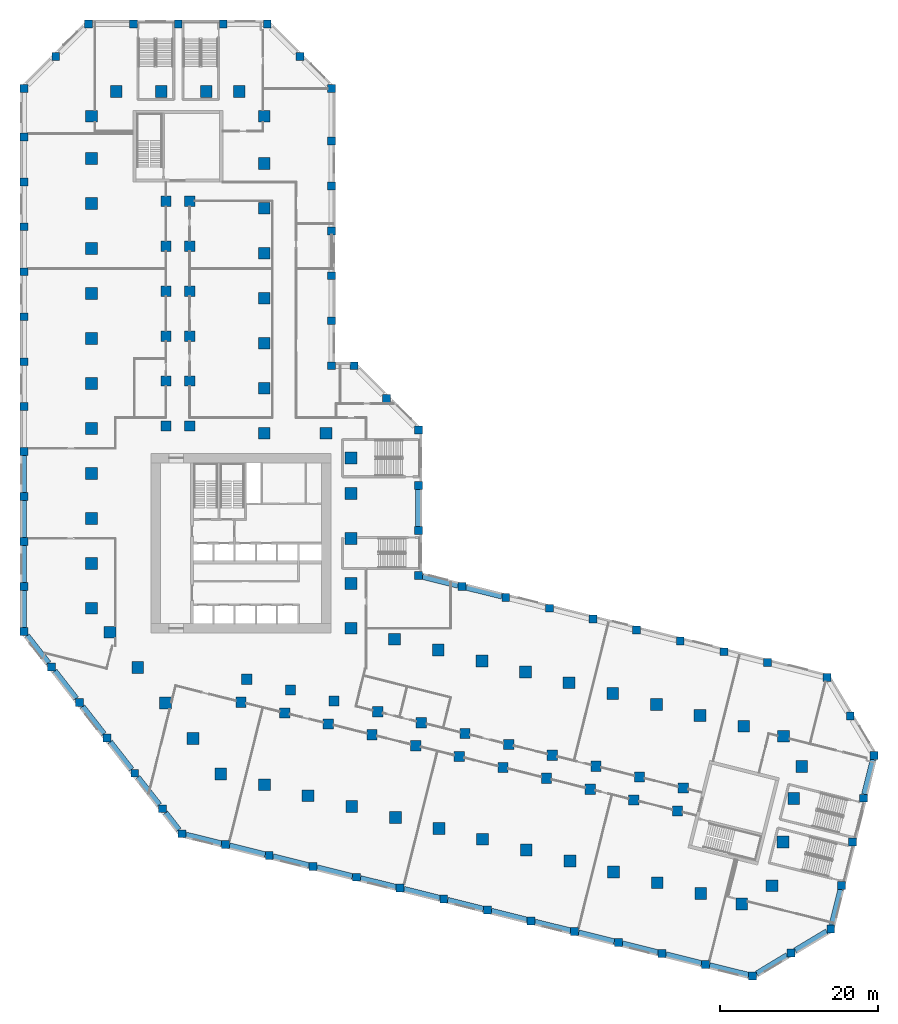
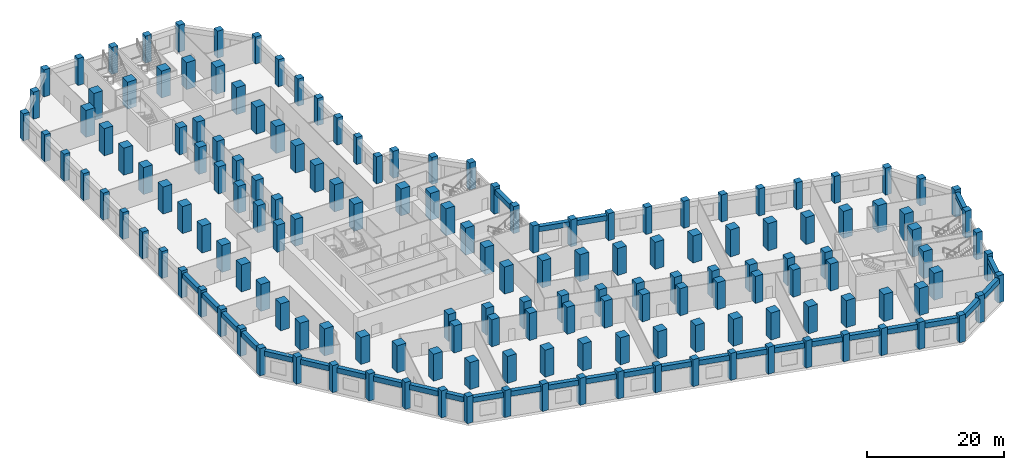
# One storey, part 1 of 15: 163 columns, 30 beams.
"""IFC4 building model written with IfcOpenShell, lengths in metres."""

from ifc_helpers import new_model, si_unit, direction, frame, origin, origin_2d, place, context, subcontext, project, spatial, rectangle, extrude, material, material_profile, profile_set, type_object, element, save


model = new_model("IFC4")

# Units and contexts
model_context = context("Model", 3, precision=1e-05, world=origin(), true_north=direction((0.0, 1.0)))
body_context = subcontext(model_context, "Body", "Model", "MODEL_VIEW")
ifc_project = project(units=[si_unit("LENGTHUNIT", "METRE"), si_unit("AREAUNIT", "SQUARE_METRE"), si_unit("VOLUMEUNIT", "CUBIC_METRE"), si_unit("PLANEANGLEUNIT", "RADIAN"), si_unit("MASSUNIT", "GRAM", prefix="KILO")], contexts=[model_context])

# Site, building, storey
site_placement = place(None, origin())
site = spatial("IfcSite", under=ifc_project, at=site_placement, CompositionType="ELEMENT")
building_placement = place(site_placement, origin())
building = spatial("IfcBuilding", under=site, at=building_placement, Name="Meshkara Civic Tower", CompositionType="ELEMENT")
storey_placement = place(building_placement, frame((0.0, 0.0, 23.39990234375)))
storey = spatial("IfcBuildingStorey", under=building, at=storey_placement, Name="L04", CompositionType="ELEMENT", Elevation=23.39990234375)

# Columns
ifc_material_1 = material(Name="Concrete C80", Category="concrete")
ifc_material_profile_1 = material_profile(ifc_material_1, rectangle(XDim=1.300048828125, YDim=1.300048828125, at=origin_2d()))
ifc_profile_set_1 = profile_set([ifc_material_profile_1], Name="Concrete C80")
column_type_1 = type_object("IfcColumnType", Name="Interior column RC 1300x1300 C80", PredefinedType="COLUMN", material=ifc_profile_set_1)
for number, where, z_axis, x_axis, name in (
    (1, (9.89990234375, 40.35009765625, 0.0), (0.0, 0.0, 1.0), (1.0, 0.0, 0.0), "Column SA1-04 L04"),
    (2, (9.89990234375, 46.050048828125, 0.0), (0.0, 0.0, 1.0), (1.0, 0.0, 0.0), "Column SA1-05 L04"),
    (3, (9.89990234375, 51.75, 0.0), (0.0, 0.0, 1.0), (1.0, 0.0, 0.0), "Column SA1-06 L04"),
    (4, (9.89990234375, 57.449951171875, 0.0), (0.0, 0.0, 1.0), (1.0, 0.0, 0.0), "Column SA1-07 L04"),
    (5, (9.89990234375, 63.14990234375, 0.0), (0.0, 0.0, 1.0), (1.0, 0.0, 0.0), "Column SA1-08 L04"),
    (6, (9.89990234375, 68.85009765625, 0.0), (0.0, 0.0, 1.0), (1.0, 0.0, 0.0), "Column SA1-09 L04"),
    (7, (12.89990234375, 40.35009765625, 0.0), (0.0, 0.0, 1.0), (1.0, 0.0, 0.0), "Column SA2-04 L04"),
    (8, (12.89990234375, 46.050048828125, 0.0), (0.0, 0.0, 1.0), (1.0, 0.0, 0.0), "Column SA2-05 L04"),
    (9, (12.89990234375, 51.75, 0.0), (0.0, 0.0, 1.0), (1.0, 0.0, 0.0), "Column SA2-06 L04"),
    (10, (12.89990234375, 57.449951171875, 0.0), (0.0, 0.0, 1.0), (1.0, 0.0, 0.0), "Column SA2-07 L04"),
    (11, (12.89990234375, 63.14990234375, 0.0), (0.0, 0.0, 1.0), (1.0, 0.0, 0.0), "Column SA2-08 L04"),
    (12, (12.89990234375, 68.85009765625, 0.0), (0.0, 0.0, 1.0), (1.0, 0.0, 0.0), "Column SA2-09 L04"),
    (13, (19.424072265625, 5.360107421875, 0.0), (0.0, 0.0, 1.0), (1.0, 0.0, 0.0), "Column SB1-00 L04"),
    (14, (24.9541015625, 3.98095703125, 0.0), (0.0, 0.0, 1.0), (1.0, 0.0, 0.0), "Column SB1-01 L04"),
    (15, (30.485107421875, 2.60205078125, 0.0), (0.0, 0.0, 1.0), (1.0, 0.0, 0.0), "Column SB1-02 L04"),
    (16, (36.01611328125, 1.222900390625, 0.0), (0.0, 0.0, 1.0), (1.0, 0.0, 0.0), "Column SB1-03 L04"),
    (17, (41.5458984375, -0.156005859375, 0.0), (0.0, 0.0, 1.0), (1.0, 0.0, 0.0), "Column SB1-04 L04"),
    (18, (47.076904296875, -1.534912109375, 0.0), (0.0, 0.0, 1.0), (1.0, 0.0, 0.0), "Column SB1-05 L04"),
    (19, (52.60791015625, -2.9140625, 0.0), (0.0, 0.0, 1.0), (1.0, 0.0, 0.0), "Column SB1-06 L04"),
    (20, (58.138916015625, -4.2919921875, 0.0), (0.0, 0.0, 1.0), (1.0, 0.0, 0.0), "Column SB1-07 L04"),
    (21, (63.6689453125, -5.6708984375, 0.0), (0.0, 0.0, 1.0), (1.0, 0.0, 0.0), "Column SB1-08 L04"),
    (22, (69.199951171875, -7.050048828125, 0.0), (0.0, 0.0, 1.0), (1.0, 0.0, 0.0), "Column SB1-09 L04"),
    (23, (74.73095703125, -8.428955078125, 0.0), (0.0, 0.0, 1.0), (1.0, 0.0, 0.0), "Column SB1-10 L04"),
    (24, (20.14892578125, 8.27099609375, 0.0), (0.0, 0.0, 1.0), (1.0, 0.0, 0.0), "Column SB2-00 L04"),
    (25, (25.679931640625, 6.89208984375, 0.0), (0.0, 0.0, 1.0), (1.0, 0.0, 0.0), "Column SB2-01 L04"),
    (26, (31.2109375, 5.512939453125, 0.0), (0.0, 0.0, 1.0), (1.0, 0.0, 0.0), "Column SB2-02 L04"),
    (27, (36.741943359375, 4.134033203125, 0.0), (0.0, 0.0, 1.0), (1.0, 0.0, 0.0), "Column SB2-03 L04"),
    (28, (42.27197265625, 2.7548828125, 0.0), (0.0, 0.0, 1.0), (1.0, 0.0, 0.0), "Column SB2-04 L04"),
    (29, (47.802978515625, 1.3759765625, 0.0), (0.0, 0.0, 1.0), (1.0, 0.0, 0.0), "Column SB2-05 L04"),
    (30, (53.333984375, -0.0029296875, 0.0), (0.0, 0.0, 1.0), (1.0, 0.0, 0.0), "Column SB2-06 L04"),
    (31, (58.864013671875, -1.382080078125, 0.0), (0.0, 0.0, 1.0), (1.0, 0.0, 0.0), "Column SB2-07 L04"),
    (32, (64.39501953125, -2.760986328125, 0.0), (0.0, 0.0, 1.0), (1.0, 0.0, 0.0), "Column SB2-08 L04"),
    (33, (69.926025390625, -4.139892578125, 0.0), (0.0, 0.0, 1.0), (1.0, 0.0, 0.0), "Column SB2-09 L04"),
    (34, (75.4560546875, -5.51806640625, 0.0), (0.0, 0.0, 1.0), (1.0, 0.0, 0.0), "Column SB2-10 L04"),
):
    element("IfcColumn", number, at=place(storey_placement, frame(where, z_axis=z_axis, x_axis=x_axis)), inside=storey, type_object=column_type_1, Name=name, PredefinedType="COLUMN", context=body_context, shape_type="SweptSolid", body=[
        extrude(rectangle(XDim=1.300048828125, YDim=1.300048828125, at=origin_2d()), origin(), (0.0, 0.0, 1.0), 4.800048828125),
    ])
ifc_material_2 = material(Name="Concrete C80", Category="concrete")
ifc_material_profile_2 = material_profile(ifc_material_2, rectangle(XDim=1.5, YDim=1.5, at=origin_2d()))
ifc_profile_set_2 = profile_set([ifc_material_profile_2], Name="Concrete C80")
column_type_2 = type_object("IfcColumnType", Name="Perimeter column RC 1500x1500 C80", PredefinedType="COLUMN", material=ifc_profile_set_2)
for number, where, z_axis, x_axis, name in (
    (35, (33.35009765625, 14.718994140625, 0.0), (0.0, 0.0, 1.0), (1.0, 0.0, 0.0), "Column HE00 L04"),
    (36, (33.35009765625, 20.4189453125, 0.0), (0.0, 0.0, 1.0), (1.0, 0.0, 0.0), "Column HE01 L04"),
    (37, (33.35009765625, 26.118896484375, 0.0), (0.0, 0.0, 1.0), (1.0, 0.0, 0.0), "Column HE02 L04"),
    (38, (33.35009765625, 31.819091796875, 0.0), (0.0, 0.0, 1.0), (1.0, 0.0, 0.0), "Column HE03 L04"),
    (39, (33.35009765625, 36.2939453125, 0.0), (0.0, 0.0, 1.0), (1.0, 0.0, 0.0), "Column HEE L04"),
    (40, (30.194091796875, 39.449951171875, 0.0), (0.0, 0.0, 1.0), (1.0, 0.0, 0.0), "Column HCeE L04"),
    (41, (22.35009765625, 39.449951171875, 0.0), (0.0, 0.0, 1.0), (1.0, 0.0, 0.0), "Column HN00 L04"),
    (42, (22.35009765625, 45.14990234375, 0.0), (0.0, 0.0, 1.0), (1.0, 0.0, 0.0), "Column AE01 L04"),
    (43, (22.35009765625, 50.85009765625, 0.0), (0.0, 0.0, 1.0), (1.0, 0.0, 0.0), "Column AE02 L04"),
    (44, (22.35009765625, 56.550048828125, 0.0), (0.0, 0.0, 1.0), (1.0, 0.0, 0.0), "Column AE03 L04"),
    (45, (22.35009765625, 62.25, 0.0), (0.0, 0.0, 1.0), (1.0, 0.0, 0.0), "Column AE04 L04"),
    (46, (22.35009765625, 67.949951171875, 0.0), (0.0, 0.0, 1.0), (1.0, 0.0, 0.0), "Column AE05 L04"),
    (47, (22.35009765625, 73.64990234375, 0.0), (0.0, 0.0, 1.0), (1.0, 0.0, 0.0), "Column AE06 L04"),
    (48, (22.35009765625, 79.614013671875, 0.0), (0.0, 0.0, 1.0), (1.0, 0.0, 0.0), "Column AEE L04"),
    (49, (19.194091796875, 82.77001953125, 0.0), (0.0, 0.0, 1.0), (1.0, 0.0, 0.0), "Column ATiE L04"),
    (50, (3.60595703125, 82.77001953125, 0.0), (0.0, 0.0, 1.0), (1.0, 0.0, 0.0), "Column AT00 L04"),
    (51, (9.305908203125, 82.77001953125, 0.0), (0.0, 0.0, 1.0), (1.0, 0.0, 0.0), "Column AT01 L04"),
    (52, (15.006103515625, 82.77001953125, 0.0), (0.0, 0.0, 1.0), (1.0, 0.0, 0.0), "Column AT02 L04"),
    (53, (0.449951171875, 79.614013671875, 0.0), (0.0, 0.0, 1.0), (1.0, 0.0, 0.0), "Column ATo00 L04"),
    (54, (0.449951171875, 17.2548828125, 0.0), (0.0, 0.0, 1.0), (1.0, 0.0, 0.0), "Column AW00 L04"),
    (55, (0.449951171875, 22.955078125, 0.0), (0.0, 0.0, 1.0), (1.0, 0.0, 0.0), "Column AW01 L04"),
    (56, (0.449951171875, 28.655029296875, 0.0), (0.0, 0.0, 1.0), (1.0, 0.0, 0.0), "Column AW02 L04"),
    (57, (0.449951171875, 34.35498046875, 0.0), (0.0, 0.0, 1.0), (1.0, 0.0, 0.0), "Column AW03 L04"),
    (58, (0.449951171875, 40.054931640625, 0.0), (0.0, 0.0, 1.0), (1.0, 0.0, 0.0), "Column AW04 L04"),
    (59, (0.449951171875, 45.7548828125, 0.0), (0.0, 0.0, 1.0), (1.0, 0.0, 0.0), "Column AW05 L04"),
    (60, (0.449951171875, 51.455078125, 0.0), (0.0, 0.0, 1.0), (1.0, 0.0, 0.0), "Column AW06 L04"),
    (61, (0.449951171875, 57.155029296875, 0.0), (0.0, 0.0, 1.0), (1.0, 0.0, 0.0), "Column AW07 L04"),
    (62, (0.449951171875, 62.85498046875, 0.0), (0.0, 0.0, 1.0), (1.0, 0.0, 0.0), "Column AW08 L04"),
    (63, (0.449951171875, 68.554931640625, 0.0), (0.0, 0.0, 1.0), (1.0, 0.0, 0.0), "Column AW09 L04"),
    (64, (0.449951171875, 74.2548828125, 0.0), (0.0, 0.0, 1.0), (1.0, 0.0, 0.0), "Column AW10 L04"),
    (65, (16.85107421875, -3.738037109375, 0.0), (0.0, 0.0, 1.0), (1.0, 0.0, 0.0), "Column BOW00 L04"),
    (66, (13.342041015625, 0.75390625, 0.0), (0.0, 0.0, 1.0), (1.0, 0.0, 0.0), "Column BOW01 L04"),
    (67, (9.8330078125, 5.2451171875, 0.0), (0.0, 0.0, 1.0), (1.0, 0.0, 0.0), "Column BOW02 L04"),
    (68, (6.322998046875, 9.737060546875, 0.0), (0.0, 0.0, 1.0), (1.0, 0.0, 0.0), "Column BOW03 L04"),
    (69, (2.81396484375, 14.22900390625, 0.0), (0.0, 0.0, 1.0), (1.0, 0.0, 0.0), "Column BOW04 L04"),
    (70, (22.382080078125, -5.116943359375, 0.0), (0.0, 0.0, 1.0), (1.0, 0.0, 0.0), "Column BS01 L04"),
    (71, (27.912109375, -6.49609375, 0.0), (0.0, 0.0, 1.0), (1.0, 0.0, 0.0), "Column BS02 L04"),
    (72, (33.443115234375, -7.875, 0.0), (0.0, 0.0, 1.0), (1.0, 0.0, 0.0), "Column BS03 L04"),
    (73, (38.97412109375, -9.25390625, 0.0), (0.0, 0.0, 1.0), (1.0, 0.0, 0.0), "Column BS04 L04"),
    (74, (44.5048828125, -10.632080078125, 0.0), (0.0, 0.0, 1.0), (1.0, 0.0, 0.0), "Column BS05 L04"),
    (75, (50.034912109375, -12.010986328125, 0.0), (0.0, 0.0, 1.0), (1.0, 0.0, 0.0), "Column BS06 L04"),
    (76, (55.56591796875, -13.389892578125, 0.0), (0.0, 0.0, 1.0), (1.0, 0.0, 0.0), "Column BS07 L04"),
    (77, (61.096923828125, -14.76904296875, 0.0), (0.0, 0.0, 1.0), (1.0, 0.0, 0.0), "Column BS08 L04"),
    (78, (66.626953125, -16.14794921875, 0.0), (0.0, 0.0, 1.0), (1.0, 0.0, 0.0), "Column BS09 L04"),
    (79, (72.157958984375, -17.527099609375, 0.0), (0.0, 0.0, 1.0), (1.0, 0.0, 0.0), "Column BS10 L04"),
    (80, (77.68896484375, -18.906005859375, 0.0), (0.0, 0.0, 1.0), (1.0, 0.0, 0.0), "Column BS11 L04"),
    (81, (82.887939453125, -20.201904296875, 0.0), (0.0, 0.0, 1.0), (1.0, 0.0, 0.0), "Column BSE L04"),
    (82, (86.714111328125, -17.903076171875, 0.0), (0.0, 0.0, 1.0), (1.0, 0.0, 0.0), "Column BToE L04"),
    (83, (88.093017578125, -12.3720703125, 0.0), (0.0, 0.0, 1.0), (1.0, 0.0, 0.0), "Column BT01 L04"),
    (84, (89.471923828125, -6.842041015625, 0.0), (0.0, 0.0, 1.0), (1.0, 0.0, 0.0), "Column BT02 L04"),
    (85, (90.485107421875, -2.779052734375, 0.0), (0.0, 0.0, 1.0), (1.0, 0.0, 0.0), "Column BTE L04"),
    (86, (88.18603515625, 1.0458984375, 0.0), (0.0, 0.0, 1.0), (1.0, 0.0, 0.0), "Column BTi00 L04"),
    (87, (38.881103515625, 13.340087890625, 0.0), (0.0, 0.0, 1.0), (1.0, 0.0, 0.0), "Column BN01 L04"),
    (88, (44.410888671875, 11.9609375, 0.0), (0.0, 0.0, 1.0), (1.0, 0.0, 0.0), "Column BN02 L04"),
    (89, (49.94189453125, 10.58203125, 0.0), (0.0, 0.0, 1.0), (1.0, 0.0, 0.0), "Column BN03 L04"),
    (90, (55.472900390625, 9.202880859375, 0.0), (0.0, 0.0, 1.0), (1.0, 0.0, 0.0), "Column BN04 L04"),
    (91, (61.0029296875, 7.823974609375, 0.0), (0.0, 0.0, 1.0), (1.0, 0.0, 0.0), "Column BN05 L04"),
    (92, (66.533935546875, 6.445068359375, 0.0), (0.0, 0.0, 1.0), (1.0, 0.0, 0.0), "Column BN06 L04"),
    (93, (72.06494140625, 5.06591796875, 0.0), (0.0, 0.0, 1.0), (1.0, 0.0, 0.0), "Column BN07 L04"),
    (94, (77.594970703125, 3.68701171875, 0.0), (0.0, 0.0, 1.0), (1.0, 0.0, 0.0), "Column BN08 L04"),
    (95, (83.1259765625, 2.30810546875, 0.0), (0.0, 0.0, 1.0), (1.0, 0.0, 0.0), "Column BN09 L04"),
):
    element("IfcColumn", number, at=place(storey_placement, frame(where, z_axis=z_axis, x_axis=x_axis)), inside=storey, type_object=column_type_2, Name=name, PredefinedType="COLUMN", context=body_context, shape_type="SweptSolid", body=[
        extrude(rectangle(XDim=1.5, YDim=1.5, at=origin_2d()), origin(), (0.0, 0.0, 1.0), 4.800048828125),
    ])
ifc_material_3 = material(Name="Concrete C60", Category="concrete")
ifc_material_profile_3 = material_profile(ifc_material_3, rectangle(XDim=1.0, YDim=1.0, at=origin_2d()))
ifc_profile_set_3 = profile_set([ifc_material_profile_3], Name="Concrete C60")
column_type_3 = type_object("IfcColumnType", Name="Podium edge column RC 1000x1000 C60", PredefinedType="COLUMN", material=ifc_profile_set_3)
for number, where, z_axis, x_axis, name in (
    (96, (0.06396484375, 91.320068359375, 0.0), (0.0, 0.0, 1.0), (1.0, 0.0, 0.0), "Column PD00-00 L04"),
    (97, (5.763916015625, 91.320068359375, 0.0), (0.0, 0.0, 1.0), (1.0, 0.0, 0.0), "Column PD00-01 L04"),
    (98, (11.464111328125, 91.320068359375, 0.0), (0.0, 0.0, 1.0), (1.0, 0.0, 0.0), "Column PD00-02 L04"),
    (99, (17.1640625, 91.320068359375, 0.0), (0.0, 0.0, 1.0), (1.0, 0.0, 0.0), "Column PD00-03 L04"),
    (100, (22.736083984375, 91.320068359375, 0.0), (0.0, 0.0, 1.0), (1.0, 0.0, 0.0), "Column PD00-E L04"),
    (101, (-8.10009765625, 83.156005859375, 0.0), (0.0, 0.0, 1.0), (1.0, 0.0, 0.0), "Column PD01-00 L04"),
    (102, (-4.069091796875, 87.18701171875, 0.0), (0.0, 0.0, 1.0), (1.0, 0.0, 0.0), "Column PD01-01 L04"),
    (103, (-8.10009765625, 14.31103515625, 0.0), (0.0, 0.0, 1.0), (1.0, 0.0, 0.0), "Column PD02-00 L04"),
    (104, (-8.10009765625, 20.010986328125, 0.0), (0.0, 0.0, 1.0), (1.0, 0.0, 0.0), "Column PD02-01 L04"),
    (105, (-8.10009765625, 25.7109375, 0.0), (0.0, 0.0, 1.0), (1.0, 0.0, 0.0), "Column PD02-02 L04"),
    (106, (-8.10009765625, 31.410888671875, 0.0), (0.0, 0.0, 1.0), (1.0, 0.0, 0.0), "Column PD02-03 L04"),
    (107, (-8.10009765625, 37.111083984375, 0.0), (0.0, 0.0, 1.0), (1.0, 0.0, 0.0), "Column PD02-04 L04"),
    (108, (-8.10009765625, 42.81103515625, 0.0), (0.0, 0.0, 1.0), (1.0, 0.0, 0.0), "Column PD02-05 L04"),
    (109, (-8.10009765625, 48.510986328125, 0.0), (0.0, 0.0, 1.0), (1.0, 0.0, 0.0), "Column PD02-06 L04"),
    (110, (-8.10009765625, 54.2109375, 0.0), (0.0, 0.0, 1.0), (1.0, 0.0, 0.0), "Column PD02-07 L04"),
    (111, (-8.10009765625, 59.910888671875, 0.0), (0.0, 0.0, 1.0), (1.0, 0.0, 0.0), "Column PD02-08 L04"),
    (112, (-8.10009765625, 65.611083984375, 0.0), (0.0, 0.0, 1.0), (1.0, 0.0, 0.0), "Column PD02-09 L04"),
    (113, (-8.10009765625, 71.31103515625, 0.0), (0.0, 0.0, 1.0), (1.0, 0.0, 0.0), "Column PD02-10 L04"),
    (114, (-8.10009765625, 77.010986328125, 0.0), (0.0, 0.0, 1.0), (1.0, 0.0, 0.0), "Column PD02-11 L04"),
    (115, (-4.591064453125, 9.819091796875, 0.0), (0.0, 0.0, 1.0), (1.0, 0.0, 0.0), "Column PD03-01 L04"),
    (116, (-1.08203125, 5.327880859375, 0.0), (0.0, 0.0, 1.0), (1.0, 0.0, 0.0), "Column PD03-02 L04"),
    (117, (2.427978515625, 0.8359375, 0.0), (0.0, 0.0, 1.0), (1.0, 0.0, 0.0), "Column PD03-03 L04"),
    (118, (5.93701171875, -3.656005859375, 0.0), (0.0, 0.0, 1.0), (1.0, 0.0, 0.0), "Column PD03-04 L04"),
    (119, (9.446044921875, -8.14794921875, 0.0), (0.0, 0.0, 1.0), (1.0, 0.0, 0.0), "Column PD03-05 L04"),
    (120, (11.926025390625, -11.322021484375, 0.0), (0.0, 0.0, 1.0), (1.0, 0.0, 0.0), "Column PD03-E L04"),
    (121, (17.45703125, -12.700927734375, 0.0), (0.0, 0.0, 1.0), (1.0, 0.0, 0.0), "Column PD04-01 L04"),
    (122, (22.987060546875, -14.080078125, 0.0), (0.0, 0.0, 1.0), (1.0, 0.0, 0.0), "Column PD04-02 L04"),
    (123, (28.51806640625, -15.458984375, 0.0), (0.0, 0.0, 1.0), (1.0, 0.0, 0.0), "Column PD04-03 L04"),
    (124, (34.049072265625, -16.837890625, 0.0), (0.0, 0.0, 1.0), (1.0, 0.0, 0.0), "Column PD04-04 L04"),
    (125, (39.580078125, -18.216064453125, 0.0), (0.0, 0.0, 1.0), (1.0, 0.0, 0.0), "Column PD04-05 L04"),
    (126, (45.110107421875, -19.594970703125, 0.0), (0.0, 0.0, 1.0), (1.0, 0.0, 0.0), "Column PD04-06 L04"),
    (127, (50.64111328125, -20.97412109375, 0.0), (0.0, 0.0, 1.0), (1.0, 0.0, 0.0), "Column PD04-07 L04"),
    (128, (56.172119140625, -22.35302734375, 0.0), (0.0, 0.0, 1.0), (1.0, 0.0, 0.0), "Column PD04-08 L04"),
    (129, (61.701904296875, -23.73193359375, 0.0), (0.0, 0.0, 1.0), (1.0, 0.0, 0.0), "Column PD04-09 L04"),
    (130, (67.23291015625, -25.111083984375, 0.0), (0.0, 0.0, 1.0), (1.0, 0.0, 0.0), "Column PD04-10 L04"),
    (131, (72.763916015625, -26.489990234375, 0.0), (0.0, 0.0, 1.0), (1.0, 0.0, 0.0), "Column PD04-11 L04"),
    (132, (78.2939453125, -27.868896484375, 0.0), (0.0, 0.0, 1.0), (1.0, 0.0, 0.0), "Column PD04-12 L04"),
    (133, (84.256103515625, -29.35498046875, 0.0), (0.0, 0.0, 1.0), (1.0, 0.0, 0.0), "Column PD04-E L04"),
    (134, (89.14208984375, -26.4189453125, 0.0), (0.0, 0.0, 1.0), (1.0, 0.0, 0.0), "Column PD05-01 L04"),
    (135, (94.153076171875, -23.407958984375, 0.0), (0.0, 0.0, 1.0), (1.0, 0.0, 0.0), "Column PD05-E L04"),
    (136, (95.531982421875, -17.876953125, 0.0), (0.0, 0.0, 1.0), (1.0, 0.0, 0.0), "Column PD06-01 L04"),
    (137, (96.910888671875, -12.346923828125, 0.0), (0.0, 0.0, 1.0), (1.0, 0.0, 0.0), "Column PD06-02 L04"),
    (138, (98.2900390625, -6.81591796875, 0.0), (0.0, 0.0, 1.0), (1.0, 0.0, 0.0), "Column PD06-03 L04"),
    (139, (99.637939453125, -1.410888671875, 0.0), (0.0, 0.0, 1.0), (1.0, 0.0, 0.0), "Column PD06-E L04"),
    (140, (93.68994140625, 8.485107421875, 0.0), (0.0, 0.0, 1.0), (1.0, 0.0, 0.0), "Column PD07-00 L04"),
    (141, (96.6259765625, 3.60009765625, 0.0), (0.0, 0.0, 1.0), (1.0, 0.0, 0.0), "Column PD07-01 L04"),
    (142, (41.89990234375, 21.39892578125, 0.0), (0.0, 0.0, 1.0), (1.0, 0.0, 0.0), "Column PD08-00 L04"),
    (143, (47.430908203125, 20.02001953125, 0.0), (0.0, 0.0, 1.0), (1.0, 0.0, 0.0), "Column PD08-01 L04"),
    (144, (52.9609375, 18.64111328125, 0.0), (0.0, 0.0, 1.0), (1.0, 0.0, 0.0), "Column PD08-02 L04"),
    (145, (58.491943359375, 17.261962890625, 0.0), (0.0, 0.0, 1.0), (1.0, 0.0, 0.0), "Column PD08-03 L04"),
    (146, (64.02294921875, 15.883056640625, 0.0), (0.0, 0.0, 1.0), (1.0, 0.0, 0.0), "Column PD08-04 L04"),
    (147, (69.552978515625, 14.50390625, 0.0), (0.0, 0.0, 1.0), (1.0, 0.0, 0.0), "Column PD08-05 L04"),
    (148, (75.083984375, 13.1240234375, 0.0), (0.0, 0.0, 1.0), (1.0, 0.0, 0.0), "Column PD08-06 L04"),
    (149, (80.614990234375, 11.7451171875, 0.0), (0.0, 0.0, 1.0), (1.0, 0.0, 0.0), "Column PD08-07 L04"),
    (150, (86.14501953125, 10.365966796875, 0.0), (0.0, 0.0, 1.0), (1.0, 0.0, 0.0), "Column PD08-08 L04"),
    (151, (41.89990234375, 27.09912109375, 0.0), (0.0, 0.0, 1.0), (1.0, 0.0, 0.0), "Column PD09-01 L04"),
    (152, (41.89990234375, 32.799072265625, 0.0), (0.0, 0.0, 1.0), (1.0, 0.0, 0.0), "Column PD09-02 L04"),
    (153, (41.89990234375, 39.8359375, 0.0), (0.0, 0.0, 1.0), (1.0, 0.0, 0.0), "Column PD09-E L04"),
    (154, (37.868896484375, 43.866943359375, 0.0), (0.0, 0.0, 1.0), (1.0, 0.0, 0.0), "Column PD10-01 L04"),
    (155, (33.736083984375, 48.0, 0.0), (0.0, 0.0, 1.0), (1.0, 0.0, 0.0), "Column PD10-E L04"),
    (156, (30.89990234375, 48.0, 0.0), (0.0, 0.0, 1.0), (1.0, 0.0, 0.0), "Column PD11-00 L04"),
    (157, (30.89990234375, 53.699951171875, 0.0), (0.0, 0.0, 1.0), (1.0, 0.0, 0.0), "Column PD12-01 L04"),
    (158, (30.89990234375, 59.39990234375, 0.0), (0.0, 0.0, 1.0), (1.0, 0.0, 0.0), "Column PD12-02 L04"),
    (159, (30.89990234375, 65.10009765625, 0.0), (0.0, 0.0, 1.0), (1.0, 0.0, 0.0), "Column PD12-03 L04"),
    (160, (30.89990234375, 70.800048828125, 0.0), (0.0, 0.0, 1.0), (1.0, 0.0, 0.0), "Column PD12-04 L04"),
    (161, (30.89990234375, 76.5, 0.0), (0.0, 0.0, 1.0), (1.0, 0.0, 0.0), "Column PD12-05 L04"),
    (162, (30.89990234375, 83.156005859375, 0.0), (0.0, 0.0, 1.0), (1.0, 0.0, 0.0), "Column PD12-E L04"),
    (163, (26.868896484375, 87.18701171875, 0.0), (0.0, 0.0, 1.0), (1.0, 0.0, 0.0), "Column PD13-01 L04"),
):
    element("IfcColumn", number, at=place(storey_placement, frame(where, z_axis=z_axis, x_axis=x_axis)), inside=storey, type_object=column_type_3, Name=name, PredefinedType="COLUMN", context=body_context, shape_type="SweptSolid", body=[
        extrude(rectangle(XDim=1.0, YDim=1.0, at=origin_2d()), origin(), (0.0, 0.0, 1.0), 4.800048828125),
    ])

# Beams
ifc_material_4 = material(Name="Concrete C60", Category="concrete")
ifc_material_profile_4 = material_profile(ifc_material_4, rectangle(XDim=0.699951171875, YDim=0.89990234375, at=origin_2d()))
ifc_profile_set_4 = profile_set([ifc_material_profile_4], Name="Concrete C60")
beam_type = type_object("IfcBeamType", Name="Spandrel beam RC 700x900 C60", PredefinedType="BEAM", material=ifc_profile_set_4)
for number, where, z_axis, x_axis, name in (
    (164, (-8.10009765625, 36.615966796875, 3.900146484375), (0.0, -1.0, 0.0), (1.0, 0.0, 0.0), "Spandrel beam PD02-03-PD02-04"),
    (165, (-8.10009765625, 30.916015625, 3.900146484375), (0.0, -1.0, 0.0), (1.0, 0.0, 0.0), "Spandrel beam PD02-02-PD02-03"),
    (166, (-8.10009765625, 25.216064453125, 3.900146484375), (0.0, -1.0, 0.0), (1.0, 0.0, 0.0), "Spandrel beam PD02-01-PD02-02"),
):
    element("IfcBeam", number, at=place(storey_placement, frame(where, z_axis=z_axis, x_axis=x_axis)), inside=storey, type_object=beam_type, Name=name, PredefinedType="BEAM", context=body_context, shape_type="SweptSolid", body=[
        extrude(rectangle(XDim=0.699951171875, YDim=0.89990234375, at=origin_2d()), origin(), (0.0, 0.0, 1.0), 4.7099609375),
    ])
beam_1_placement = place(storey_placement, frame((-8.10009765625, 19.51611328125, 3.900146484375), z_axis=(0.0, -1.0, 0.0), x_axis=(1.0, 0.0, 0.0)))
element("IfcBeam", 167, at=beam_1_placement, inside=storey, type_object=beam_type, Name="Spandrel beam PD02-00-PD02-01", PredefinedType="BEAM", context=body_context, shape_type="SweptSolid", body=[
    extrude(rectangle(XDim=0.699951171875, YDim=0.89990234375, at=origin_2d()), origin(), (0.0, 0.0, 1.0), 4.710205078125),
])
beam_2_placement = place(storey_placement, frame((-7.71240234375, 13.81494140625, 3.900146484375), z_axis=(0.615602435322, -0.788056877151, 0.0), x_axis=(0.788056877151, 0.615602435322, 0.0)))
element("IfcBeam", 168, at=beam_2_placement, inside=storey, type_object=beam_type, Name="Spandrel beam PD02-00-PD03-01", PredefinedType="BEAM", context=body_context, shape_type="SweptSolid", body=[
    extrude(rectangle(XDim=0.699951171875, YDim=0.89990234375, at=origin_2d()), origin(), (0.0, 0.0, 1.0), 4.44091796875),
])
beam_3_placement = place(storey_placement, frame((-4.203369140625, 9.322998046875, 3.900146484375), z_axis=(0.615709126877, -0.787973521814, 0.0), x_axis=(0.787973521814, 0.615709126877, 0.0)))
element("IfcBeam", 169, at=beam_3_placement, inside=storey, type_object=beam_type, Name="Spandrel beam PD03-01-PD03-02", PredefinedType="BEAM", context=body_context, shape_type="SweptSolid", body=[
    extrude(rectangle(XDim=0.699951171875, YDim=0.89990234375, at=origin_2d()), origin(), (0.0, 0.0, 1.0), 4.440185546875),
])
beam_4_placement = place(storey_placement, frame((-0.6943359375, 4.831787109375, 3.900146484375), z_axis=(0.615704842432, -0.787976869588, 0.0), x_axis=(0.787976869588, 0.615704842432, 0.0)))
element("IfcBeam", 170, at=beam_4_placement, inside=storey, type_object=beam_type, Name="Spandrel beam PD03-02-PD03-03", PredefinedType="BEAM", context=body_context, shape_type="SweptSolid", body=[
    extrude(rectangle(XDim=0.699951171875, YDim=0.89990234375, at=origin_2d()), origin(), (0.0, 0.0, 1.0), 4.44140625),
])
for number, where, z_axis, x_axis, name in (
    (171, (2.8154296875, 0.33984375, 3.900146484375), (0.615636574491, -0.788030207637, 0.0), (0.788030207637, 0.615636574491, 0.0), "Spandrel beam PD03-03-PD03-04"),
    (172, (6.324462890625, -4.152099609375, 3.900146484375), (0.615636574491, -0.788030207637, 0.0), (0.788030207637, 0.615636574491, 0.0), "Spandrel beam PD03-04-PD03-05"),
):
    element("IfcBeam", number, at=place(storey_placement, frame(where, z_axis=z_axis, x_axis=x_axis)), inside=storey, type_object=beam_type, Name=name, PredefinedType="BEAM", context=body_context, shape_type="SweptSolid", body=[
        extrude(rectangle(XDim=0.699951171875, YDim=0.89990234375, at=origin_2d()), origin(), (0.0, 0.0, 1.0), 4.441162109375),
    ])
beam_5_placement = place(storey_placement, frame((9.83349609375, -8.64404296875, 3.900146484375), z_axis=(0.615697082111, -0.787982933242, 0.0), x_axis=(0.787982933242, 0.615697082111, 0.0)))
element("IfcBeam", 173, at=beam_5_placement, inside=storey, type_object=beam_type, Name="Spandrel beam PD03-05-PD03-E", PredefinedType="BEAM", context=body_context, shape_type="SweptSolid", body=[
    extrude(rectangle(XDim=0.699951171875, YDim=0.89990234375, at=origin_2d()), origin(), (0.0, 0.0, 1.0), 2.76904296875),
])
beam_6_placement = place(storey_placement, frame((12.421142578125, -11.445556640625, 3.900146484375), z_axis=(0.970311050729, -0.24186042428, 0.0), x_axis=(0.24186042428, 0.970311050729, 0.0)))
element("IfcBeam", 174, at=beam_6_placement, inside=storey, type_object=beam_type, Name="Spandrel beam PD03-E-PD04-01", PredefinedType="BEAM", context=body_context, shape_type="SweptSolid", body=[
    extrude(rectangle(XDim=0.699951171875, YDim=0.89990234375, at=origin_2d()), origin(), (0.0, 0.0, 1.0), 4.6796875),
])
beam_7_placement = place(storey_placement, frame((17.9521484375, -12.824462890625, 3.900146484375), z_axis=(0.970286590806, -0.241958533023, 0.0), x_axis=(0.241958533023, 0.970286590806, 0.0)))
element("IfcBeam", 175, at=beam_7_placement, inside=storey, type_object=beam_type, Name="Spandrel beam PD04-01-PD04-02", PredefinedType="BEAM", context=body_context, shape_type="SweptSolid", body=[
    extrude(rectangle(XDim=0.699951171875, YDim=0.89990234375, at=origin_2d()), origin(), (0.0, 0.0, 1.0), 4.6787109375),
])
for number, where, z_axis, x_axis, name in (
    (176, (23.482177734375, -14.20361328125, 3.900146484375), (0.970311050729, -0.24186042428, 0.0), (0.24186042428, 0.970311050729, 0.0), "Spandrel beam PD04-02-PD04-03"),
    (177, (29.01318359375, -15.58251953125, 3.900146484375), (0.970298806378, -0.241909541651, 0.0), (0.241909541651, 0.970298806378, 0.0), "Spandrel beam PD04-03-PD04-04"),
):
    element("IfcBeam", number, at=place(storey_placement, frame(where, z_axis=z_axis, x_axis=x_axis)), inside=storey, type_object=beam_type, Name=name, PredefinedType="BEAM", context=body_context, shape_type="SweptSolid", body=[
        extrude(rectangle(XDim=0.699951171875, YDim=0.89990234375, at=origin_2d()), origin(), (0.0, 0.0, 1.0), 4.6796875),
    ])
beam_8_placement = place(storey_placement, frame((34.544189453125, -16.96142578125, 3.900146484375), z_axis=(0.970347770718, -0.241713061011, 0.0), x_axis=(0.241713061011, 0.970347770718, 0.0)))
element("IfcBeam", 178, at=beam_8_placement, inside=storey, type_object=beam_type, Name="Spandrel beam PD04-04-PD04-05", PredefinedType="BEAM", context=body_context, shape_type="SweptSolid", body=[
    extrude(rectangle(XDim=0.699951171875, YDim=0.89990234375, at=origin_2d()), origin(), (0.0, 0.0, 1.0), 4.679443359375),
])
beam_9_placement = place(storey_placement, frame((40.0751953125, -18.339599609375, 3.900146484375), z_axis=(0.970298839963, -0.241909406941, 0.0), x_axis=(0.241909406941, 0.970298839963, 0.0)))
element("IfcBeam", 179, at=beam_9_placement, inside=storey, type_object=beam_type, Name="Spandrel beam PD04-05-PD04-06", PredefinedType="BEAM", context=body_context, shape_type="SweptSolid", body=[
    extrude(rectangle(XDim=0.699951171875, YDim=0.89990234375, at=origin_2d()), origin(), (0.0, 0.0, 1.0), 4.6787109375),
])
for number, where, z_axis, x_axis, name in (
    (180, (45.60498046875, -19.718505859375, 3.900146484375), (0.970301859111, -0.241897296812, 0.0), (0.241897296812, 0.970301859111, 0.0), "Spandrel beam PD04-06-PD04-07"),
    (181, (51.135986328125, -21.097412109375, 3.900146484375), (0.970301859111, -0.241897296812, 0.0), (0.241897296812, 0.970301859111, 0.0), "Spandrel beam PD04-07-PD04-08"),
):
    element("IfcBeam", number, at=place(storey_placement, frame(where, z_axis=z_axis, x_axis=x_axis)), inside=storey, type_object=beam_type, Name=name, PredefinedType="BEAM", context=body_context, shape_type="SweptSolid", body=[
        extrude(rectangle(XDim=0.699951171875, YDim=0.89990234375, at=origin_2d()), origin(), (0.0, 0.0, 1.0), 4.679931640625),
    ])
beam_10_placement = place(storey_placement, frame((56.6669921875, -22.4765625, 3.900146484375), z_axis=(0.970298839963, -0.241909406941, 0.0), x_axis=(0.241909406941, 0.970298839963, 0.0)))
element("IfcBeam", 182, at=beam_10_placement, inside=storey, type_object=beam_type, Name="Spandrel beam PD04-08-PD04-09", PredefinedType="BEAM", context=body_context, shape_type="SweptSolid", body=[
    extrude(rectangle(XDim=0.699951171875, YDim=0.89990234375, at=origin_2d()), origin(), (0.0, 0.0, 1.0), 4.6787109375),
])
for number, where, z_axis, x_axis, name in (
    (183, (62.197021484375, -23.85546875, 3.900146484375), (0.970298806378, -0.241909541651, 0.0), (0.241909541651, 0.970298806378, 0.0), "Spandrel beam PD04-09-PD04-10"),
    (184, (67.72802734375, -25.234619140625, 3.900146484375), (0.970311050729, -0.24186042428, 0.0), (0.24186042428, 0.970311050729, 0.0), "Spandrel beam PD04-10-PD04-11"),
):
    element("IfcBeam", number, at=place(storey_placement, frame(where, z_axis=z_axis, x_axis=x_axis)), inside=storey, type_object=beam_type, Name=name, PredefinedType="BEAM", context=body_context, shape_type="SweptSolid", body=[
        extrude(rectangle(XDim=0.699951171875, YDim=0.89990234375, at=origin_2d()), origin(), (0.0, 0.0, 1.0), 4.6796875),
    ])
beam_11_placement = place(storey_placement, frame((73.259033203125, -26.613525390625, 3.900146484375), z_axis=(0.970286590806, -0.241958533023, 0.0), x_axis=(0.241958533023, 0.970286590806, 0.0)))
element("IfcBeam", 185, at=beam_11_placement, inside=storey, type_object=beam_type, Name="Spandrel beam PD04-11-PD04-12", PredefinedType="BEAM", context=body_context, shape_type="SweptSolid", body=[
    extrude(rectangle(XDim=0.699951171875, YDim=0.89990234375, at=origin_2d()), origin(), (0.0, 0.0, 1.0), 4.6787109375),
])
beam_12_placement = place(storey_placement, frame((78.7890625, -27.992431640625, 3.900146484375), z_axis=(0.970313224603, -0.241851702828, 0.0), x_axis=(0.241851702828, 0.970313224603, 0.0)))
element("IfcBeam", 186, at=beam_12_placement, inside=storey, type_object=beam_type, Name="Spandrel beam PD04-12-PD04-E", PredefinedType="BEAM", context=body_context, shape_type="SweptSolid", body=[
    extrude(rectangle(XDim=0.699951171875, YDim=0.89990234375, at=origin_2d()), origin(), (0.0, 0.0, 1.0), 5.1240234375),
])
beam_13_placement = place(storey_placement, frame((84.751708984375, -29.05712890625, 3.900146484375), z_axis=(0.857141884297, 0.515080372547, 0.0), x_axis=(-0.515080372547, 0.857141884297, 0.0)))
element("IfcBeam", 187, at=beam_13_placement, inside=storey, type_object=beam_type, Name="Spandrel beam PD04-E-PD05-01", PredefinedType="BEAM", context=body_context, shape_type="SweptSolid", body=[
    extrude(rectangle(XDim=0.699951171875, YDim=0.89990234375, at=origin_2d()), origin(), (0.0, 0.0, 1.0), 4.543701171875),
])
beam_14_placement = place(storey_placement, frame((89.6376953125, -26.12109375, 3.900146484375), z_axis=(0.857157399661, 0.515054552651, 0.0), x_axis=(-0.515054552651, 0.857157399661, 0.0)))
element("IfcBeam", 188, at=beam_14_placement, inside=storey, type_object=beam_type, Name="Spandrel beam PD05-01-PD05-E", PredefinedType="BEAM", context=body_context, shape_type="SweptSolid", body=[
    extrude(rectangle(XDim=0.699951171875, YDim=0.89990234375, at=origin_2d()), origin(), (0.0, 0.0, 1.0), 4.689453125),
])
beam_15_placement = place(storey_placement, frame((94.276611328125, -22.912841796875, 3.900146484375), z_axis=(0.24186042428, 0.970311050729, 0.0), x_axis=(-0.970311050729, 0.24186042428, 0.0)))
element("IfcBeam", 189, at=beam_15_placement, inside=storey, type_object=beam_type, Name="Spandrel beam PD05-E-PD06-01", PredefinedType="BEAM", context=body_context, shape_type="SweptSolid", body=[
    extrude(rectangle(XDim=0.699951171875, YDim=0.89990234375, at=origin_2d()), origin(), (0.0, 0.0, 1.0), 4.6796875),
])
beam_16_placement = place(storey_placement, frame((98.41357421875, -6.32080078125, 3.900146484375), z_axis=(0.241942189564, 0.970290666197, 0.0), x_axis=(-0.970290666197, 0.241942189564, 0.0)))
element("IfcBeam", 190, at=beam_16_placement, inside=storey, type_object=beam_type, Name="Spandrel beam PD06-03-PD06-E", PredefinedType="BEAM", context=body_context, shape_type="SweptSolid", body=[
    extrude(rectangle(XDim=0.699951171875, YDim=0.89990234375, at=origin_2d()), origin(), (0.0, 0.0, 1.0), 4.550048828125),
])
beam_17_placement = place(storey_placement, frame((52.4658203125, 18.764404296875, 3.900146484375), z_axis=(-0.970286590806, 0.241958533023, 0.0), x_axis=(-0.241958533023, -0.970286590806, 0.0)))
element("IfcBeam", 191, at=beam_17_placement, inside=storey, type_object=beam_type, Name="Spandrel beam PD08-01-PD08-02", PredefinedType="BEAM", context=body_context, shape_type="SweptSolid", body=[
    extrude(rectangle(XDim=0.699951171875, YDim=0.89990234375, at=origin_2d()), origin(), (0.0, 0.0, 1.0), 4.6787109375),
])
beam_18_placement = place(storey_placement, frame((46.935791015625, 20.1435546875, 3.900146484375), z_axis=(-0.970311050729, 0.24186042428, 0.0), x_axis=(-0.24186042428, -0.970311050729, 0.0)))
element("IfcBeam", 192, at=beam_18_placement, inside=storey, type_object=beam_type, Name="Spandrel beam PD08-00-PD08-01", PredefinedType="BEAM", context=body_context, shape_type="SweptSolid", body=[
    extrude(rectangle(XDim=0.699951171875, YDim=0.89990234375, at=origin_2d()), origin(), (0.0, 0.0, 1.0), 4.6796875),
])
beam_19_placement = place(storey_placement, frame((41.89990234375, 27.593994140625, 3.900146484375), z_axis=(0.0, 1.0, 0.0), x_axis=(-1.0, 0.0, 0.0)))
element("IfcBeam", 193, at=beam_19_placement, inside=storey, type_object=beam_type, Name="Spandrel beam PD09-01-PD09-02", PredefinedType="BEAM", context=body_context, shape_type="SweptSolid", body=[
    extrude(rectangle(XDim=0.699951171875, YDim=0.89990234375, at=origin_2d()), origin(), (0.0, 0.0, 1.0), 4.7099609375),
])

save(model, "model.ifc")
